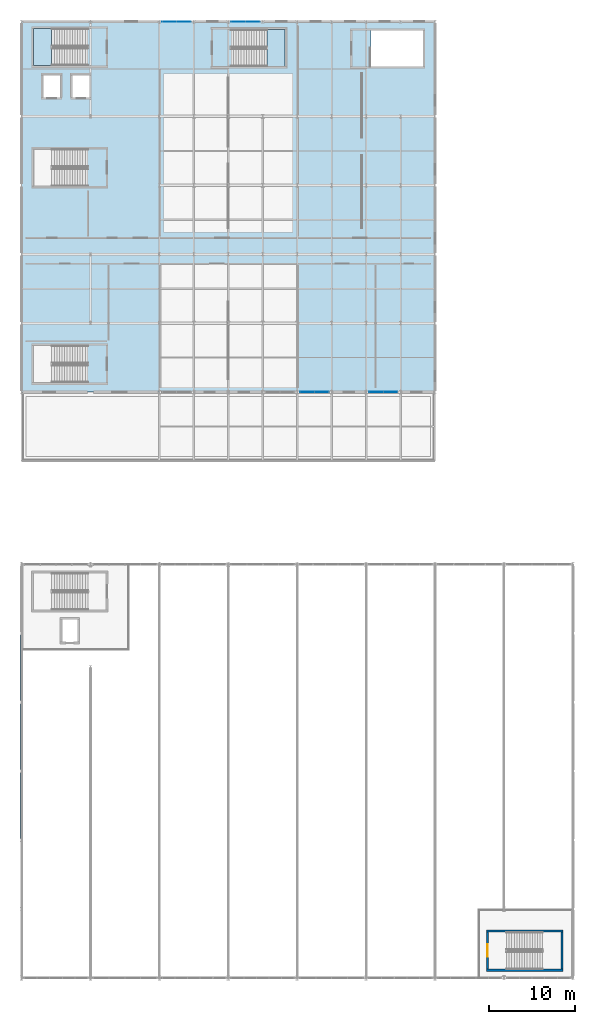
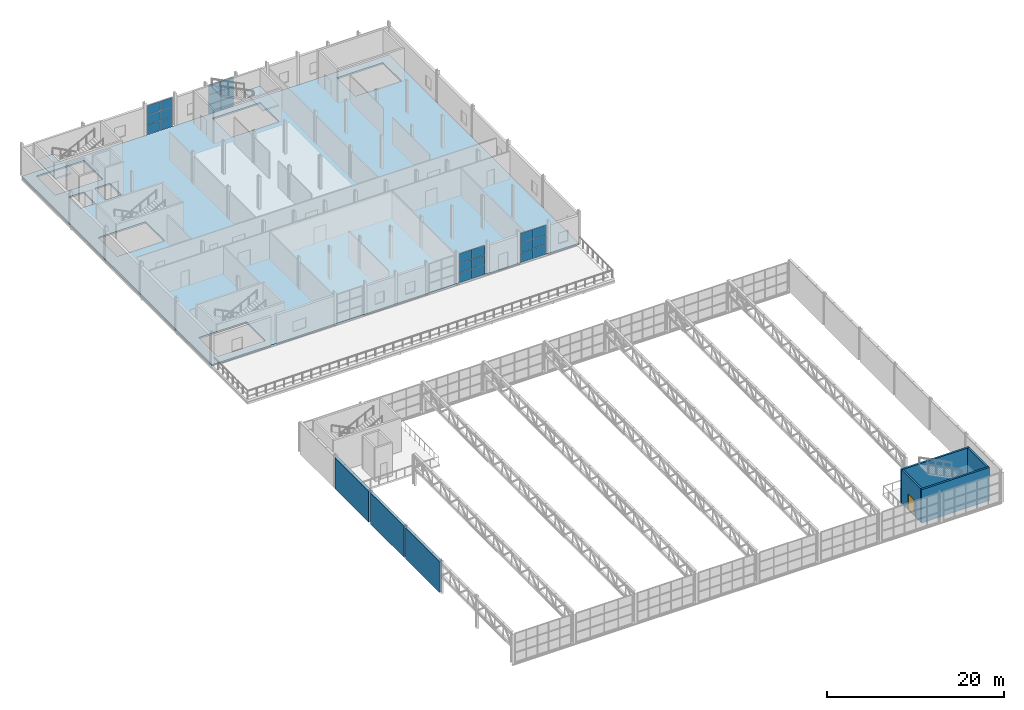
# One storey, part 57 of 67: 24 plates, 7 walls, 3 slabs, 1 door, 1 opening, 6 elements without a shape of their own.
"""IFC4 building model written with IfcOpenShell, lengths in metres."""

from ifc_helpers import new_model, si_unit, derived_unit, direction, frame, frame_2d, origin, origin_2d, place, context, subcontext, project, spatial, polyline, rectangle, outline, extrude, material, layer, layer_set, type_object, element, fill, aggregate, save


model = new_model("IFC4")

# Units and contexts
model_context = context("Model", 3, precision=1e-05, world=origin(), true_north=direction((0.0, 1.0)))
body_context = subcontext(model_context, "Body", "Model", "MODEL_VIEW")
ifc_project = project(units=[si_unit("LENGTHUNIT", "METRE"), si_unit("AREAUNIT", "SQUARE_METRE"), si_unit("VOLUMEUNIT", "CUBIC_METRE"), si_unit("PLANEANGLEUNIT", "RADIAN"), si_unit("MASSUNIT", "GRAM", prefix="KILO"), derived_unit("THERMALTRANSMITTANCEUNIT", [(si_unit("POWERUNIT", "WATT"), 1), (si_unit("LENGTHUNIT", "METRE"), -2), (si_unit("THERMODYNAMICTEMPERATUREUNIT", "KELVIN"), -1)])], contexts=[model_context])

# Site, building, storey
site_placement = place(None, origin())
site = spatial("IfcSite", under=ifc_project, at=site_placement, CompositionType="ELEMENT")
building_placement = place(site_placement, origin())
building = spatial("IfcBuilding", under=site, at=building_placement, Name="Keldorne Ridge Multi-Sports Centre", CompositionType="ELEMENT")
storey_placement = place(building_placement, frame((0.0, 0.0, 14.0)))
storey = spatial("IfcBuildingStorey", under=building, at=storey_placement, Name="L03", CompositionType="ELEMENT", Elevation=14.0)

# Curtain wall, plates
ifc_material_1 = material(Name="Anodized aluminium", Category="aluminium")
curtain_wall_type_1 = type_object("IfcCurtainWallType", Name="CW-CW-03", PredefinedType="NOTDEFINED", material=ifc_material_1)
curtain_wall_1_placement = place(storey_placement, origin())
curtain_wall_1 = element("IfcCurtainWall", 1, at=curtain_wall_1_placement, inside=storey, type_object=curtain_wall_type_1, Name="East Wing L03 south curtain wall 155", PredefinedType="NOTDEFINED")
ifc_material_2 = material(Name="Double low-e insulated glazing", Category="glass")
ifc_layer_1 = layer(ifc_material_2, 0.035888671875)
ifc_layer_set_1 = layer_set([ifc_layer_1])
plate_type = type_object("IfcPlateType", Name="PLT-GL-01", PredefinedType="CURTAIN_PANEL", material=ifc_layer_set_1)
plate_1_placement = place(storey_placement, frame((137.169921875, 74.0, 0.02001953125), z_axis=(0.0, 0.0, 1.0), x_axis=(1.0, 0.0, 0.0)))
plate_1 = element("IfcPlate", 2, at=plate_1_placement, type_object=plate_type, Name="CW-155 glazed panel 1.1", PredefinedType="CURTAIN_PANEL", context=body_context, shape_type="SweptSolid", body=[
    extrude(rectangle(XDim=1.6201171875, YDim=0.035888671875, at=origin_2d()), origin(), (0.0, 0.0, 1.0), 1.31005859375),
])
plate_2_placement = place(storey_placement, frame((137.169921875, 74.0, 1.369873046875), z_axis=(0.0, 0.0, 1.0), x_axis=(1.0, 0.0, 0.0)))
plate_2 = element("IfcPlate", 3, at=plate_2_placement, type_object=plate_type, Name="CW-155 glazed panel 1.2", PredefinedType="CURTAIN_PANEL", context=body_context, shape_type="SweptSolid", body=[
    extrude(rectangle(XDim=1.6201171875, YDim=0.035888671875, at=origin_2d()), origin(), (0.0, 0.0, 1.0), 1.31005859375),
])
plate_3_placement = place(storey_placement, frame((137.169921875, 74.0, 2.719970703125), z_axis=(0.0, 0.0, 1.0), x_axis=(1.0, 0.0, 0.0)))
plate_3 = element("IfcPlate", 4, at=plate_3_placement, type_object=plate_type, Name="CW-155 glazed panel 1.3", PredefinedType="CURTAIN_PANEL", context=body_context, shape_type="SweptSolid", body=[
    extrude(rectangle(XDim=1.6201171875, YDim=0.035888671875, at=origin_2d()), origin(), (0.0, 0.0, 1.0), 1.31005859375),
])
plate_4_placement = place(storey_placement, frame((138.830078125, 74.0, 0.02001953125), z_axis=(0.0, 0.0, 1.0), x_axis=(1.0, 0.0, 0.0)))
plate_4 = element("IfcPlate", 5, at=plate_4_placement, type_object=plate_type, Name="CW-155 glazed panel 2.1", PredefinedType="CURTAIN_PANEL", context=body_context, shape_type="SweptSolid", body=[
    extrude(rectangle(XDim=1.6201171875, YDim=0.035888671875, at=origin_2d()), origin(), (0.0, 0.0, 1.0), 1.31005859375),
])
plate_5_placement = place(storey_placement, frame((138.830078125, 74.0, 1.369873046875), z_axis=(0.0, 0.0, 1.0), x_axis=(1.0, 0.0, 0.0)))
plate_5 = element("IfcPlate", 6, at=plate_5_placement, type_object=plate_type, Name="CW-155 glazed panel 2.2", PredefinedType="CURTAIN_PANEL", context=body_context, shape_type="SweptSolid", body=[
    extrude(rectangle(XDim=1.6201171875, YDim=0.035888671875, at=origin_2d()), origin(), (0.0, 0.0, 1.0), 1.31005859375),
])
plate_6_placement = place(storey_placement, frame((138.830078125, 74.0, 2.719970703125), z_axis=(0.0, 0.0, 1.0), x_axis=(1.0, 0.0, 0.0)))
plate_6 = element("IfcPlate", 7, at=plate_6_placement, type_object=plate_type, Name="CW-155 glazed panel 2.3", PredefinedType="CURTAIN_PANEL", context=body_context, shape_type="SweptSolid", body=[
    extrude(rectangle(XDim=1.6201171875, YDim=0.035888671875, at=origin_2d()), origin(), (0.0, 0.0, 1.0), 1.31005859375),
])
aggregate(curtain_wall_1, [plate_1, plate_2, plate_3, plate_4, plate_5, plate_6])

curtain_wall_type_2 = type_object("IfcCurtainWallType", Name="CW-CW-04", PredefinedType="NOTDEFINED", material=ifc_material_1)
curtain_wall_2_placement = place(storey_placement, origin())
curtain_wall_2 = element("IfcCurtainWall", 8, at=curtain_wall_2_placement, inside=storey, type_object=curtain_wall_type_2, Name="East Wing L03 south curtain wall 156", PredefinedType="NOTDEFINED")
plate_7_placement = place(storey_placement, frame((145.169921875, 74.0, 0.02001953125), z_axis=(0.0, 0.0, 1.0), x_axis=(1.0, 0.0, 0.0)))
plate_7 = element("IfcPlate", 9, at=plate_7_placement, type_object=plate_type, Name="CW-156 glazed panel 1.1", PredefinedType="CURTAIN_PANEL", context=body_context, shape_type="SweptSolid", body=[
    extrude(rectangle(XDim=1.6201171875, YDim=0.035888671875, at=origin_2d()), origin(), (0.0, 0.0, 1.0), 1.31005859375),
])
plate_8_placement = place(storey_placement, frame((145.169921875, 74.0, 1.369873046875), z_axis=(0.0, 0.0, 1.0), x_axis=(1.0, 0.0, 0.0)))
plate_8 = element("IfcPlate", 10, at=plate_8_placement, type_object=plate_type, Name="CW-156 glazed panel 1.2", PredefinedType="CURTAIN_PANEL", context=body_context, shape_type="SweptSolid", body=[
    extrude(rectangle(XDim=1.6201171875, YDim=0.035888671875, at=origin_2d()), origin(), (0.0, 0.0, 1.0), 1.31005859375),
])
plate_9_placement = place(storey_placement, frame((145.169921875, 74.0, 2.719970703125), z_axis=(0.0, 0.0, 1.0), x_axis=(1.0, 0.0, 0.0)))
plate_9 = element("IfcPlate", 11, at=plate_9_placement, type_object=plate_type, Name="CW-156 glazed panel 1.3", PredefinedType="CURTAIN_PANEL", context=body_context, shape_type="SweptSolid", body=[
    extrude(rectangle(XDim=1.6201171875, YDim=0.035888671875, at=origin_2d()), origin(), (0.0, 0.0, 1.0), 1.31005859375),
])
plate_10_placement = place(storey_placement, frame((146.830078125, 74.0, 0.02001953125), z_axis=(0.0, 0.0, 1.0), x_axis=(1.0, 0.0, 0.0)))
plate_10 = element("IfcPlate", 12, at=plate_10_placement, type_object=plate_type, Name="CW-156 glazed panel 2.1", PredefinedType="CURTAIN_PANEL", context=body_context, shape_type="SweptSolid", body=[
    extrude(rectangle(XDim=1.6201171875, YDim=0.035888671875, at=origin_2d()), origin(), (0.0, 0.0, 1.0), 1.31005859375),
])
plate_11_placement = place(storey_placement, frame((146.830078125, 74.0, 1.369873046875), z_axis=(0.0, 0.0, 1.0), x_axis=(1.0, 0.0, 0.0)))
plate_11 = element("IfcPlate", 13, at=plate_11_placement, type_object=plate_type, Name="CW-156 glazed panel 2.2", PredefinedType="CURTAIN_PANEL", context=body_context, shape_type="SweptSolid", body=[
    extrude(rectangle(XDim=1.6201171875, YDim=0.035888671875, at=origin_2d()), origin(), (0.0, 0.0, 1.0), 1.31005859375),
])
plate_12_placement = place(storey_placement, frame((146.830078125, 74.0, 2.719970703125), z_axis=(0.0, 0.0, 1.0), x_axis=(1.0, 0.0, 0.0)))
plate_12 = element("IfcPlate", 14, at=plate_12_placement, type_object=plate_type, Name="CW-156 glazed panel 2.3", PredefinedType="CURTAIN_PANEL", context=body_context, shape_type="SweptSolid", body=[
    extrude(rectangle(XDim=1.6201171875, YDim=0.035888671875, at=origin_2d()), origin(), (0.0, 0.0, 1.0), 1.31005859375),
])
aggregate(curtain_wall_2, [plate_7, plate_8, plate_9, plate_10, plate_11, plate_12])

curtain_wall_type_3 = type_object("IfcCurtainWallType", Name="CW-CW-05", PredefinedType="NOTDEFINED", material=ifc_material_1)
curtain_wall_3_placement = place(storey_placement, origin())
curtain_wall_3 = element("IfcCurtainWall", 15, at=curtain_wall_3_placement, inside=storey, type_object=curtain_wall_type_3, Name="East Wing L03 north curtain wall 157", PredefinedType="NOTDEFINED")
plate_13_placement = place(storey_placement, frame((122.830078125, 117.0, 0.02001953125), z_axis=(0.0, 0.0, 1.0), x_axis=(-1.0, 0.0, 0.0)))
plate_13 = element("IfcPlate", 16, at=plate_13_placement, type_object=plate_type, Name="CW-157 glazed panel 1.1", PredefinedType="CURTAIN_PANEL", context=body_context, shape_type="SweptSolid", body=[
    extrude(rectangle(XDim=1.6201171875, YDim=0.035888671875, at=origin_2d()), origin(), (0.0, 0.0, 1.0), 1.31005859375),
])
plate_14_placement = place(storey_placement, frame((122.830078125, 117.0, 1.369873046875), z_axis=(0.0, 0.0, 1.0), x_axis=(-1.0, 0.0, 0.0)))
plate_14 = element("IfcPlate", 17, at=plate_14_placement, type_object=plate_type, Name="CW-157 glazed panel 1.2", PredefinedType="CURTAIN_PANEL", context=body_context, shape_type="SweptSolid", body=[
    extrude(rectangle(XDim=1.6201171875, YDim=0.035888671875, at=origin_2d()), origin(), (0.0, 0.0, 1.0), 1.31005859375),
])
plate_15_placement = place(storey_placement, frame((122.830078125, 117.0, 2.719970703125), z_axis=(0.0, 0.0, 1.0), x_axis=(-1.0, 0.0, 0.0)))
plate_15 = element("IfcPlate", 18, at=plate_15_placement, type_object=plate_type, Name="CW-157 glazed panel 1.3", PredefinedType="CURTAIN_PANEL", context=body_context, shape_type="SweptSolid", body=[
    extrude(rectangle(XDim=1.6201171875, YDim=0.035888671875, at=origin_2d()), origin(), (0.0, 0.0, 1.0), 1.31005859375),
])
plate_16_placement = place(storey_placement, frame((121.169921875, 117.0, 0.02001953125), z_axis=(0.0, 0.0, 1.0), x_axis=(-1.0, 0.0, 0.0)))
plate_16 = element("IfcPlate", 19, at=plate_16_placement, type_object=plate_type, Name="CW-157 glazed panel 2.1", PredefinedType="CURTAIN_PANEL", context=body_context, shape_type="SweptSolid", body=[
    extrude(rectangle(XDim=1.6201171875, YDim=0.035888671875, at=origin_2d()), origin(), (0.0, 0.0, 1.0), 1.31005859375),
])
plate_17_placement = place(storey_placement, frame((121.169921875, 117.0, 1.369873046875), z_axis=(0.0, 0.0, 1.0), x_axis=(-1.0, 0.0, 0.0)))
plate_17 = element("IfcPlate", 20, at=plate_17_placement, type_object=plate_type, Name="CW-157 glazed panel 2.2", PredefinedType="CURTAIN_PANEL", context=body_context, shape_type="SweptSolid", body=[
    extrude(rectangle(XDim=1.6201171875, YDim=0.035888671875, at=origin_2d()), origin(), (0.0, 0.0, 1.0), 1.31005859375),
])
plate_18_placement = place(storey_placement, frame((121.169921875, 117.0, 2.719970703125), z_axis=(0.0, 0.0, 1.0), x_axis=(-1.0, 0.0, 0.0)))
plate_18 = element("IfcPlate", 21, at=plate_18_placement, type_object=plate_type, Name="CW-157 glazed panel 2.3", PredefinedType="CURTAIN_PANEL", context=body_context, shape_type="SweptSolid", body=[
    extrude(rectangle(XDim=1.6201171875, YDim=0.035888671875, at=origin_2d()), origin(), (0.0, 0.0, 1.0), 1.31005859375),
])
aggregate(curtain_wall_3, [plate_13, plate_14, plate_15, plate_16, plate_17, plate_18])

curtain_wall_type_4 = type_object("IfcCurtainWallType", Name="CW-CW-06", PredefinedType="NOTDEFINED", material=ifc_material_1)
curtain_wall_4_placement = place(storey_placement, origin())
curtain_wall_4 = element("IfcCurtainWall", 22, at=curtain_wall_4_placement, inside=storey, type_object=curtain_wall_type_4, Name="East Wing L03 north curtain wall 158", PredefinedType="NOTDEFINED")
plate_19_placement = place(storey_placement, frame((130.830078125, 117.0, 0.02001953125), z_axis=(0.0, 0.0, 1.0), x_axis=(-1.0, 0.0, 0.0)))
plate_19 = element("IfcPlate", 23, at=plate_19_placement, type_object=plate_type, Name="CW-158 glazed panel 1.1", PredefinedType="CURTAIN_PANEL", context=body_context, shape_type="SweptSolid", body=[
    extrude(rectangle(XDim=1.6201171875, YDim=0.035888671875, at=origin_2d()), origin(), (0.0, 0.0, 1.0), 1.31005859375),
])
plate_20_placement = place(storey_placement, frame((130.830078125, 117.0, 1.369873046875), z_axis=(0.0, 0.0, 1.0), x_axis=(-1.0, 0.0, 0.0)))
plate_20 = element("IfcPlate", 24, at=plate_20_placement, type_object=plate_type, Name="CW-158 glazed panel 1.2", PredefinedType="CURTAIN_PANEL", context=body_context, shape_type="SweptSolid", body=[
    extrude(rectangle(XDim=1.6201171875, YDim=0.035888671875, at=origin_2d()), origin(), (0.0, 0.0, 1.0), 1.31005859375),
])
plate_21_placement = place(storey_placement, frame((130.830078125, 117.0, 2.719970703125), z_axis=(0.0, 0.0, 1.0), x_axis=(-1.0, 0.0, 0.0)))
plate_21 = element("IfcPlate", 25, at=plate_21_placement, type_object=plate_type, Name="CW-158 glazed panel 1.3", PredefinedType="CURTAIN_PANEL", context=body_context, shape_type="SweptSolid", body=[
    extrude(rectangle(XDim=1.6201171875, YDim=0.035888671875, at=origin_2d()), origin(), (0.0, 0.0, 1.0), 1.31005859375),
])
plate_22_placement = place(storey_placement, frame((129.169921875, 117.0, 0.02001953125), z_axis=(0.0, 0.0, 1.0), x_axis=(-1.0, 0.0, 0.0)))
plate_22 = element("IfcPlate", 26, at=plate_22_placement, type_object=plate_type, Name="CW-158 glazed panel 2.1", PredefinedType="CURTAIN_PANEL", context=body_context, shape_type="SweptSolid", body=[
    extrude(rectangle(XDim=1.6201171875, YDim=0.035888671875, at=origin_2d()), origin(), (0.0, 0.0, 1.0), 1.31005859375),
])
plate_23_placement = place(storey_placement, frame((129.169921875, 117.0, 1.369873046875), z_axis=(0.0, 0.0, 1.0), x_axis=(-1.0, 0.0, 0.0)))
plate_23 = element("IfcPlate", 27, at=plate_23_placement, type_object=plate_type, Name="CW-158 glazed panel 2.2", PredefinedType="CURTAIN_PANEL", context=body_context, shape_type="SweptSolid", body=[
    extrude(rectangle(XDim=1.6201171875, YDim=0.035888671875, at=origin_2d()), origin(), (0.0, 0.0, 1.0), 1.31005859375),
])
plate_24_placement = place(storey_placement, frame((129.169921875, 117.0, 2.719970703125), z_axis=(0.0, 0.0, 1.0), x_axis=(-1.0, 0.0, 0.0)))
plate_24 = element("IfcPlate", 28, at=plate_24_placement, type_object=plate_type, Name="CW-158 glazed panel 2.3", PredefinedType="CURTAIN_PANEL", context=body_context, shape_type="SweptSolid", body=[
    extrude(rectangle(XDim=1.6201171875, YDim=0.035888671875, at=origin_2d()), origin(), (0.0, 0.0, 1.0), 1.31005859375),
])
aggregate(curtain_wall_4, [plate_19, plate_20, plate_21, plate_22, plate_23, plate_24])

# Stair, slab
ifc_material_3 = material(Name="Concrete C35/45", Category="concrete")
stair_type = type_object("IfcStairType", Name="STR-S01", PredefinedType="HALF_TURN_STAIR", material=ifc_material_3)
stair_1_placement = place(storey_placement, origin())
stair_1 = element("IfcStair", 29, at=stair_1_placement, inside=storey, type_object=stair_type, Name="L03 North-East Primary Clinical Core C1", PredefinedType="HALF_TURN_STAIR")
ifc_layer_2 = layer(ifc_material_3, 0.199951171875)
ifc_layer_set_2 = layer_set([ifc_layer_2], Name="Concrete C35/45")
slab_type_1 = type_object("IfcSlabType", Name="SLB-LDG-01", PredefinedType="LANDING", material=ifc_layer_set_2)
slab_1_placement = place(storey_placement, frame((0.0, 0.0, 2.10009765625)))
slab_1 = element("IfcSlab", 30, at=slab_1_placement, type_object=slab_type_1, Name="ST-01 landing 1", PredefinedType="LANDING", context=body_context, shape_type="SweptSolid", body=[
    extrude(outline(polyline([(107.5, 116.199951171875), (105.39990234375, 116.199951171875), (105.39990234375, 111.89990234375), (107.5, 111.89990234375), (107.5, 116.199951171875)])), origin(), (0.0, 0.0, 1.0), 0.199951171875),
])
aggregate(stair_1, [slab_1])

stair_2_placement = place(storey_placement, origin())
stair_2 = element("IfcStair", 31, at=stair_2_placement, inside=storey, type_object=stair_type, Name="L03 Upper Studio Escape Stair ST-10", PredefinedType="HALF_TURN_STAIR")
slab_2_placement = place(storey_placement, frame((0.0, 0.0, 2.10009765625)))
slab_2 = element("IfcSlab", 32, at=slab_2_placement, type_object=slab_type_1, Name="ST-10 landing 1", PredefinedType="LANDING", context=body_context, shape_type="SweptSolid", body=[
    extrude(outline(polyline([(132.5, 111.800048828125), (134.60009765625, 111.800048828125), (134.60009765625, 116.10009765625), (132.5, 116.10009765625), (132.5, 111.800048828125)])), origin(), (0.0, 0.0, 1.0), 0.199951171875),
])
aggregate(stair_2, [slab_2])

# Slab
ifc_layer_3 = layer(ifc_material_3, 0.219970703125)
ifc_layer_set_3 = layer_set([ifc_layer_3], Name="Concrete C35/45")
slab_type_2 = type_object("IfcSlabType", Name="SLB-SL-F02", PredefinedType="FLOOR", material=ifc_layer_set_3)
slab_3_placement = place(storey_placement, frame((0.0, 0.0, -0.219970703125)))
element("IfcSlab", 33, at=slab_3_placement, inside=storey, type_object=slab_type_2, Name="Third floor Fitness and Dance Studios slab", PredefinedType="FLOOR", context=body_context, shape_type="SweptSolid", body=[
    extrude(outline(polyline([(104.0, 74.0), (152.0, 74.0), (152.0, 117.0), (104.0, 117.0), (104.0, 74.0)]), holes=[polyline([(105.39990234375, 111.89990234375), (105.39990234375, 116.199951171875), (111.6201171875, 116.199951171875), (111.6201171875, 111.89990234375), (105.39990234375, 111.89990234375)]), polyline([(105.39990234375, 75.10009765625), (105.39990234375, 79.39990234375), (111.6201171875, 79.39990234375), (111.6201171875, 75.10009765625), (105.39990234375, 75.10009765625)]), polyline([(144.580078125, 111.800048828125), (144.580078125, 115.97998046875), (150.60009765625, 115.97998046875), (150.60009765625, 111.800048828125), (144.580078125, 111.800048828125)]), polyline([(128.3798828125, 111.800048828125), (128.3798828125, 116.10009765625), (134.60009765625, 116.10009765625), (134.60009765625, 111.800048828125), (128.3798828125, 111.800048828125)]), polyline([(105.39990234375, 97.89990234375), (105.39990234375, 102.199951171875), (111.6201171875, 102.199951171875), (111.6201171875, 97.89990234375), (105.39990234375, 97.89990234375)]), polyline([(106.5, 108.199951171875), (106.5, 110.800048828125), (108.5, 110.800048828125), (108.5, 108.199951171875), (106.5, 108.199951171875)]), polyline([(109.89990234375, 108.199951171875), (109.89990234375, 110.800048828125), (111.89990234375, 110.800048828125), (111.89990234375, 108.199951171875), (109.89990234375, 108.199951171875)])]), origin(), (0.0, 0.0, 1.0), 0.219970703125),
])

# Walls
ifc_material_4 = material(Name="Precast concrete C40/50", Category="concrete")
ifc_layer_4 = layer(ifc_material_4, 0.360107421875)
ifc_layer_set_4 = layer_set([ifc_layer_4], Name="Precast concrete C40/50")
wall_type_1 = type_object("IfcWallType", Name="WAL-PR-W2", PredefinedType="STANDARD", material=ifc_layer_set_4)
for number, where, z_axis, x_axis, name in (
    (34, (104.0, 29.822998046875, 0.0), (0.0, 0.0, 1.0), (0.0, -1.0, 0.0), "Stacked Courts movement-joint wall L03.3"),
    (35, (104.0, 37.822998046875, 0.0), (0.0, 0.0, 1.0), (0.0, -1.0, 0.0), "Stacked Courts movement-joint wall L03.4"),
    (36, (104.0, 45.822998046875, 0.0), (0.0, 0.0, 1.0), (0.0, -1.0, 0.0), "Stacked Courts movement-joint wall L03.5"),
):
    element("IfcWall", number, at=place(storey_placement, frame(where, z_axis=z_axis, x_axis=x_axis)), inside=storey, type_object=wall_type_1, Name=name, PredefinedType="STANDARD", context=body_context, shape_type="SweptSolid", body=[
        extrude(rectangle(XDim=7.64599609375, YDim=0.360107421875, at=frame_2d((3.822998046875, 0.0))), origin(), (0.0, 0.0, 1.0), 4.300048828125),
    ])

# Wall, opening, door
ifc_material_5 = material(Name="Concrete C40/50", Category="concrete")
ifc_layer_5 = layer(ifc_material_5, 0.25)
ifc_layer_set_5 = layer_set([ifc_layer_5], Name="Concrete C40/50")
wall_type_2 = type_object("IfcWallType", Name="WAL-SW01", PredefinedType="SHEAR", material=ifc_layer_set_5)
wall_1_placement = place(storey_placement, frame((158.074951171875, 7.0, 0.0), z_axis=(0.0, 0.0, 1.0), x_axis=(0.0, 1.0, 0.0)))
wall_1 = element("IfcWall", 37, at=wall_1_placement, inside=storey, type_object=wall_type_2, Name="Stair ST-05 shaft wall L03 NEAR", PredefinedType="SHEAR", context=body_context, shape_type="SweptSolid", body=[
    extrude(rectangle(XDim=4.300048828125, YDim=0.25, at=frame_2d((2.14990234375, 0.0))), origin(), (0.0, 0.0, 1.0), 4.60009765625),
])
opening_placement = place(wall_1_placement, frame((1.425048828125, 0.0, 0.0)))
opening = element("IfcOpeningElement", 38, at=opening_placement, cuts=wall_1, Name="Opening D-05", PredefinedType="OPENING", context=body_context, shape_type="SweptSolid", body=[
    extrude(rectangle(XDim=1.449951171875, YDim=2.199951171875, at=frame_2d((0.72509765625, 1.10009765625))), frame((0.0, 0.135009765625, 0.0), z_axis=(0.0, -1.0, 0.0), x_axis=(1.0, 0.0, 0.0)), (0.0, 0.0, 1.0), 0.27001953125),
])
ifc_material_6 = material(Name="Steel fire-resisting pair", Category="steel")
door_type = type_object("IfcDoorType", Name="DR-D-05", OperationType="NOTDEFINED", PredefinedType="DOOR", material=ifc_material_6)
door_placement = place(opening_placement, origin())
door = element("IfcDoor", 39, at=door_placement, inside=storey, type_object=door_type, Name="Stair ST-05 L03 fire door D-027", OperationType="DOUBLE_DOOR_SINGLE_SWING", OverallHeight=2.199951171875, OverallWidth=1.449951171875, PredefinedType="DOOR", context=body_context, shape_type="SweptSolid", body=[
    extrude(rectangle(XDim=1.449951171875, YDim=2.199951171875, at=frame_2d((0.72509765625, 1.10009765625))), frame((0.0, 0.02490234375, 0.0), z_axis=(0.0, -1.0, 0.0), x_axis=(1.0, 0.0, 0.0)), (0.0, 0.0, 1.0), 0.050048828125),
])
fill(opening, door)

# Walls
wall_2_placement = place(storey_placement, frame((166.72509765625, 11.300048828125, 0.0), z_axis=(0.0, 0.0, 1.0), x_axis=(0.0, -1.0, 0.0)))
element("IfcWall", 40, at=wall_2_placement, inside=storey, type_object=wall_type_2, Name="Stair ST-05 shaft wall L03 FAR", PredefinedType="SHEAR", context=body_context, shape_type="SweptSolid", body=[
    extrude(rectangle(XDim=4.300048828125, YDim=0.25, at=frame_2d((2.14990234375, 0.0))), origin(), (0.0, 0.0, 1.0), 4.60009765625),
])
for number, where, z_axis, x_axis, name in (
    (41, (157.949951171875, 6.875, 0.0), (0.0, 0.0, 1.0), (1.0, 0.0, 0.0), "Stair ST-05 shaft wall L03 SOUTH"),
    (42, (166.85009765625, 11.425048828125, 0.0), (0.0, 0.0, 1.0), (-1.0, 0.0, 0.0), "Stair ST-05 shaft wall L03 NORTH"),
):
    element("IfcWall", number, at=place(storey_placement, frame(where, z_axis=z_axis, x_axis=x_axis)), inside=storey, type_object=wall_type_2, Name=name, PredefinedType="SHEAR", context=body_context, shape_type="SweptSolid", body=[
        extrude(rectangle(XDim=8.900146484375, YDim=0.25, at=frame_2d((4.4501953125, 0.0))), origin(), (0.0, 0.0, 1.0), 4.60009765625),
    ])

save(model, "model.ifc")
